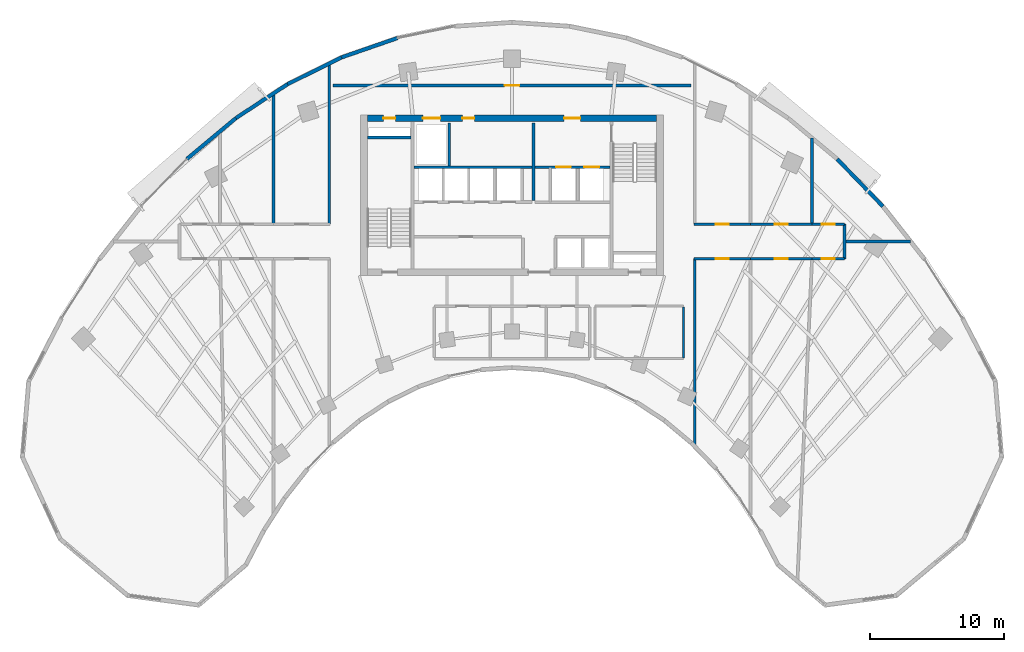
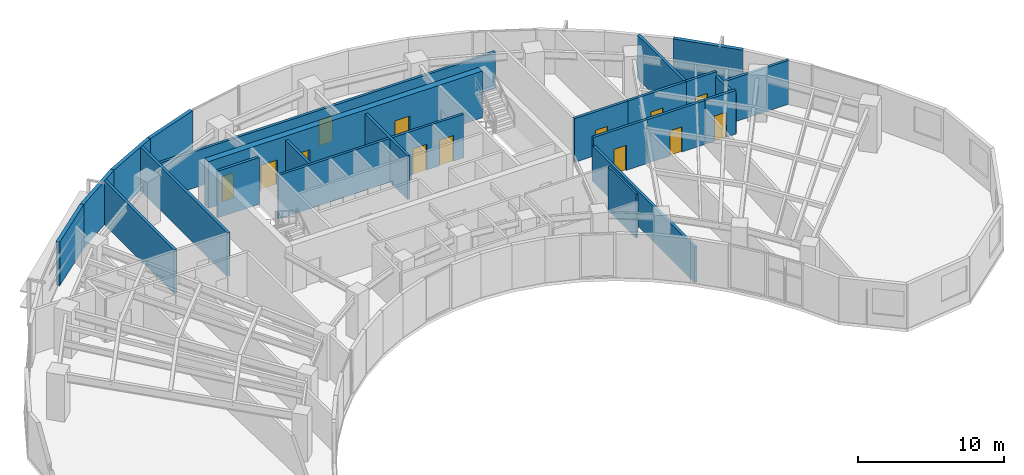
# One storey, part 10 of 14: 25 walls, 13 doors, 13 openings.
"""IFC4 building model written with IfcOpenShell, lengths in metres."""

import ifcopenshell
import ifcopenshell.guid

model = None  # the IFC model being written
_history = None  # IfcOwnerHistory: only IFC2X3 demands one
_inside = {}  # id of a spatial element -> (the spatial element, [elements in it])
_under = {}  # id of a project, library or spatial element -> (it, [spatial elements below it])
_declared = {}  # id of a project -> (the project, [libraries it declares])
_typed = {}  # id of a type object -> (the type object, [elements of that type])
_made_of = {}  # id of a material, layer set ... -> (it, [elements and type objects made of it])


def new_model(schema):
    """Start an empty IFC model of exactly this schema.

    Asked for "IFC4X3", IfcOpenShell would pick the latest addendum, in which some entities
    have other attributes; the version numbers below select the first issue.
    IFC2X3 requires an IfcOwnerHistory on every rooted entity: one is made here for all.
    """
    global model, _history
    if schema == "IFC4X3":
        model = ifcopenshell.file(schema_version=(4, 3, 0, 0))
    else:
        model = ifcopenshell.file(schema=schema)
    _inside.clear()
    _under.clear()
    _declared.clear()
    _typed.clear()
    _made_of.clear()
    _history = None
    if model.schema == "IFC2X3":
        org = make("IfcOrganization", Name="unknown")
        user = make(
            "IfcPersonAndOrganization",
            ThePerson=make("IfcPerson", FamilyName="unknown"),
            TheOrganization=org,
        )
        app = make(
            "IfcApplication",
            ApplicationDeveloper=org,
            Version="unknown",
            ApplicationFullName="unknown",
            ApplicationIdentifier="unknown",
        )
        _history = make(
            "IfcOwnerHistory",
            OwningUser=user,
            OwningApplication=app,
            ChangeAction="ADDED",
            CreationDate=0,
        )
    return model


def make(cls, **values):
    """One entity of the class cls with the attributes given. An attribute that is None is left unset."""
    return model.create_entity(
        cls, **{name: value for name, value in values.items() if value is not None}
    )


def rooted(cls, **values):
    """An entity with a GlobalId (a new one), such as an element, a storey or a relation."""
    return make(cls, GlobalId=ifcopenshell.guid.new(), OwnerHistory=_history, **values)


def si_unit(unit_type, name, prefix=None):
    """IfcSIUnit, for example si_unit("LENGTHUNIT", "METRE", prefix="MILLI")."""
    return make("IfcSIUnit", UnitType=unit_type, Prefix=prefix, Name=name)


def assignment(units):
    """IfcUnitAssignment: the units of a project."""
    return None if units is None else make("IfcUnitAssignment", Units=units)


def point(xyz):
    """IfcCartesianPoint."""
    return None if xyz is None else make("IfcCartesianPoint", Coordinates=xyz)


def direction(xyz):
    """IfcDirection."""
    return None if xyz is None else make("IfcDirection", DirectionRatios=xyz)


def frame(location, z_axis=None, x_axis=None):
    """IfcAxis2Placement3D, a coordinate frame: its origin and axes. An axis left out is left unset."""
    return make(
        "IfcAxis2Placement3D",
        Location=point(location),
        Axis=direction(z_axis),
        RefDirection=direction(x_axis),
    )


def frame_2d(location, x_axis=None):
    """IfcAxis2Placement2D, a coordinate frame in the plane: its origin and x axis."""
    return make(
        "IfcAxis2Placement2D", Location=point(location), RefDirection=direction(x_axis)
    )


def origin():
    """The frame at (0, 0, 0) with its axes left unset."""
    return frame((0.0, 0.0, 0.0))


def place(relative_to, where):
    """IfcLocalPlacement: puts the frame where relative to a parent placement (None: the world)."""
    return make(
        "IfcLocalPlacement", PlacementRelTo=relative_to, RelativePlacement=where
    )


def context(
    kind, dimensions, precision=None, world=None, true_north=None, identifier=None
):
    """IfcGeometricRepresentationContext, for example the 3D "Model" context."""
    return make(
        "IfcGeometricRepresentationContext",
        ContextIdentifier=identifier,
        ContextType=kind,
        CoordinateSpaceDimension=dimensions,
        Precision=precision,
        WorldCoordinateSystem=world,
        TrueNorth=true_north,
    )


def subcontext(parent, identifier, kind, view, scale=None):
    """IfcGeometricRepresentationSubContext, for example "Body" below "Model"."""
    return make(
        "IfcGeometricRepresentationSubContext",
        ContextIdentifier=identifier,
        ContextType=kind,
        ParentContext=parent,
        TargetScale=scale,
        TargetView=view,
    )


def project(units=None, contexts=None):
    """IfcProject with its units and contexts."""
    return rooted(
        "IfcProject",
        Name="project",
        RepresentationContexts=contexts,
        UnitsInContext=assignment(units),
    )


def spatial(cls, under=None, at=None, **own):
    """A site, building, storey or space (cls), placed at a placement, below another one or the project."""
    s = rooted(cls, ObjectPlacement=at, **own)
    if under is not None:
        _under.setdefault(under.id(), (under, []))[1].append(s)
    return s


def profile(cls, at=None, kind="AREA", **sizes):
    """A parametric profile (cls). Its sizes go by their IFC names, for example OverallWidth=200.0."""
    return make(cls, ProfileType=kind, Position=at, **sizes)


def rectangle(**sizes):
    """IfcRectangleProfileDef."""
    return profile("IfcRectangleProfileDef", **sizes)


def extrude(swept, where, along, depth):
    """IfcExtrudedAreaSolid: the profile swept, set in the frame where, extruded along a direction by depth."""
    return make(
        "IfcExtrudedAreaSolid",
        SweptArea=swept,
        Position=where,
        ExtrudedDirection=direction(along),
        Depth=depth,
    )


def shape(context_of_items, identifier, shape_type, items):
    """IfcShapeRepresentation: the items that make up one representation, for example the "Body"."""
    return make(
        "IfcShapeRepresentation",
        ContextOfItems=context_of_items,
        RepresentationIdentifier=identifier,
        RepresentationType=shape_type,
        Items=items,
    )


def source(mapping_origin, context_of_items, identifier, shape_type, items):
    """IfcRepresentationMap: a shape defined once, which mapped items show again and again."""
    return make(
        "IfcRepresentationMap",
        MappingOrigin=mapping_origin,
        MappedRepresentation=shape(context_of_items, identifier, shape_type, items),
    )


def transform(
    local_origin,
    x_axis=None,
    y_axis=None,
    z_axis=None,
    scale=None,
    scale2=None,
    scale3=None,
    uniform=True,
):
    """IfcCartesianTransformationOperator3D, or its non-uniform kind. x_axis, y_axis, z_axis: its Axis1, 2, 3."""
    if uniform:
        return make(
            "IfcCartesianTransformationOperator3D",
            Axis1=direction(x_axis),
            Axis2=direction(y_axis),
            LocalOrigin=point(local_origin),
            Scale=scale,
            Axis3=direction(z_axis),
        )
    return make(
        "IfcCartesianTransformationOperator3DnonUniform",
        Axis1=direction(x_axis),
        Axis2=direction(y_axis),
        LocalOrigin=point(local_origin),
        Scale=scale,
        Axis3=direction(z_axis),
        Scale2=scale2,
        Scale3=scale3,
    )


def mapped(mapping_source, mapping_target):
    """IfcMappedItem: shows the shape of a source again, moved by a transform."""
    return make(
        "IfcMappedItem", MappingSource=mapping_source, MappingTarget=mapping_target
    )


def material(Name=None, Category=None):
    """IfcMaterial."""
    return make("IfcMaterial", Name=Name, Category=Category)


def layer(
    of_material, thickness, ventilated=None, Name=None, Category=None, Priority=None
):
    """IfcMaterialLayer: one layer of a wall or slab, of a material (None: an air gap)."""
    return make(
        "IfcMaterialLayer",
        Material=of_material,
        LayerThickness=thickness,
        IsVentilated=ventilated,
        Name=Name,
        Category=Category,
        Priority=Priority,
    )


def layer_set(layers, Name=None):
    """IfcMaterialLayerSet."""
    return make("IfcMaterialLayerSet", MaterialLayers=layers, LayerSetName=Name)


def made_of(thing, what):
    """Note that an element or type object is made of a material, layer set ...; save() writes the relation."""
    if what is not None:
        _made_of.setdefault(what.id(), (what, []))[1].append(thing)
    return thing


def type_object(cls, material=None, **own):
    """A type object (cls), such as IfcWallType, which elements share."""
    return made_of(rooted(cls, **own), material)


def type_shapes(of_type, sources):
    """Give a type object the sources (RepresentationMaps) that its elements show as mapped items."""
    of_type.RepresentationMaps = sources


def element(
    cls,
    number,
    at=None,
    inside=None,
    cuts=None,
    type_object=None,
    material=None,
    context=None,
    identifier="Body",
    shape_type=None,
    held_by="IfcProductDefinitionShape",
    body=None,
    shapes=None,
    **own,
):
    """One element of the class cls, such as IfcWall. Its Tag is "e" and its number.

    at: its placement. inside: the storey or other place that contains it. cuts: it is an
    opening in that element (IfcRelVoidsElement). A single representation is given by context,
    identifier, shape_type and body (its items); several are given by shapes. held_by: the class
    of the entity that holds the representations. save() writes the other relations.
    """
    e = rooted(cls, Tag="e%d" % number, ObjectPlacement=at, **own)
    if body is not None:
        shapes = [shape(context, identifier, shape_type, body)]
    if shapes is not None:
        e.Representation = make(held_by, Representations=shapes)
    if inside is not None:
        _inside.setdefault(inside.id(), (inside, []))[1].append(e)
    if cuts is not None:
        rooted(
            "IfcRelVoidsElement", RelatingBuildingElement=cuts, RelatedOpeningElement=e
        )
    if type_object is not None:
        _typed.setdefault(type_object.id(), (type_object, []))[1].append(e)
    return made_of(e, material)


def fill(opening, filler):
    """IfcRelFillsElement: the door or window that sits in an opening."""
    return rooted(
        "IfcRelFillsElement",
        RelatingOpeningElement=opening,
        RelatedBuildingElement=filler,
    )


def aggregate(whole, parts):
    """IfcRelAggregates: a whole, such as a stair, and the parts it consists of."""
    return rooted("IfcRelAggregates", RelatingObject=whole, RelatedObjects=parts)


def save(model, path):
    """Write the relations noted so far, then the file.

    IfcRelAggregates (storeys below a building ...), IfcRelContainedInSpatialStructure (elements
    in a storey), IfcRelDefinesByType, IfcRelAssociatesMaterial and IfcRelDeclares: one each for
    every whole, place, type object, material and project.
    """
    for whole, parts in _under.values():
        aggregate(whole, parts)
    for where, things in _inside.values():
        rooted(
            "IfcRelContainedInSpatialStructure",
            RelatedElements=things,
            RelatingStructure=where,
        )
    for kind, things in _typed.values():
        rooted("IfcRelDefinesByType", RelatedObjects=things, RelatingType=kind)
    for what, things in _made_of.values():
        rooted("IfcRelAssociatesMaterial", RelatedObjects=things, RelatingMaterial=what)
    for by, libraries in _declared.values():
        rooted("IfcRelDeclares", RelatingContext=by, RelatedDefinitions=libraries)
    model.write(path)


model = new_model("IFC4")

# Units and contexts
model_context = context("Model", 3, precision=1e-05, world=origin(), true_north=direction((0.0, 1.0)))
body_context = subcontext(model_context, "Body", "Model", "MODEL_VIEW")
ifc_project = project(units=[si_unit("LENGTHUNIT", "METRE"), si_unit("AREAUNIT", "SQUARE_METRE"), si_unit("VOLUMEUNIT", "CUBIC_METRE"), si_unit("PLANEANGLEUNIT", "RADIAN"), si_unit("MASSUNIT", "GRAM", prefix="KILO")], contexts=[model_context])

# Site, building, storey
site_placement = place(None, origin())
site = spatial("IfcSite", under=ifc_project, at=site_placement, CompositionType="ELEMENT")
building_placement = place(site_placement, origin())
building = spatial("IfcBuilding", under=site, at=building_placement, Name="Breltana Convention Tower", CompositionType="ELEMENT")
storey_placement = place(building_placement, frame((0.0, 0.0, 131.10009765625)))
storey = spatial("IfcBuildingStorey", under=building, at=storey_placement, Name="L31", CompositionType="ELEMENT", Elevation=131.10009765625)

# Wall, openings, doors
ifc_material_1 = material(Name="Concrete C60/75", Category="concrete")
ifc_layer_1 = layer(ifc_material_1, 0.5, Name="Concrete C60/75")
ifc_layer_set_1 = layer_set([ifc_layer_1], Name="Concrete C60/75")
wall_type_1 = type_object("IfcWallType", Name="SW-CORE-500", PredefinedType="SHEAR", material=ifc_layer_set_1)
shared_shape_1 = source(origin(), body_context, "Body", "SweptSolid", [
    extrude(rectangle(XDim=21.60009765625, YDim=0.5, at=frame_2d((10.800048828125, 0.0))), origin(), (0.0, 0.0, 1.0), 3.89990234375),
])
wall_1_placement = place(storey_placement, frame((37.199951171875, 71.949951171875, 0.0), z_axis=(0.0, 0.0, 1.0), x_axis=(1.0, 0.0, 0.0)))
wall_1 = element("IfcWall", 1, at=wall_1_placement, inside=storey, type_object=wall_type_1, Name="L31 North Core Shear Wall", PredefinedType="SHEAR", context=body_context, shape_type="MappedRepresentation", body=[
    mapped(shared_shape_1, transform((0.0, 0.0, 0.0), scale=1.0)),
])
opening_1_placement = place(wall_1_placement, frame((1.199951171875, 0.0, 0.0)))
opening_1 = element("IfcOpeningElement", 2, at=opening_1_placement, cuts=wall_1, Name="Opening D-18", PredefinedType="OPENING", context=body_context, shape_type="SweptSolid", body=[
    extrude(rectangle(XDim=0.89990234375, YDim=2.10009765625, at=frame_2d((0.449951171875, 1.050048828125))), frame((0.0, 0.260009765625, 0.0), z_axis=(0.0, -1.0, 0.0), x_axis=(1.0, 0.0, 0.0)), (0.0, 0.0, 1.0), 0.52001953125),
])
opening_2_placement = place(wall_1_placement, frame((14.699951171875, 0.0, 0.0)))
opening_2 = element("IfcOpeningElement", 3, at=opening_2_placement, cuts=wall_1, Name="Opening D-09", PredefinedType="OPENING", context=body_context, shape_type="SweptSolid", body=[
    extrude(rectangle(XDim=1.199951171875, YDim=2.14990234375, at=frame_2d((0.60009765625, 1.074951171875))), frame((0.0, 0.260009765625, 0.0), z_axis=(0.0, -1.0, 0.0), x_axis=(1.0, 0.0, 0.0)), (0.0, 0.0, 1.0), 0.52001953125),
])
opening_3_placement = place(wall_1_placement, frame((4.14990234375, 0.0, 0.0)))
opening_3 = element("IfcOpeningElement", 4, at=opening_3_placement, cuts=wall_1, Name="Opening LD-01", PredefinedType="OPENING", context=body_context, shape_type="SweptSolid", body=[
    extrude(rectangle(XDim=1.300048828125, YDim=2.14990234375, at=frame_2d((0.64990234375, 1.074951171875))), frame((0.0, 0.260009765625, 0.0), z_axis=(0.0, -1.0, 0.0), x_axis=(1.0, 0.0, 0.0)), (0.0, 0.0, 1.0), 0.52001953125),
])
opening_4_placement = place(wall_1_placement, frame((7.10009765625, 0.0, 0.0)))
opening_4 = element("IfcOpeningElement", 5, at=opening_4_placement, cuts=wall_1, Name="Opening D-18", PredefinedType="OPENING", context=body_context, shape_type="SweptSolid", body=[
    extrude(rectangle(XDim=0.89990234375, YDim=2.10009765625, at=frame_2d((0.449951171875, 1.050048828125))), frame((0.0, 0.260009765625, 0.0), z_axis=(0.0, -1.0, 0.0), x_axis=(1.0, 0.0, 0.0)), (0.0, 0.0, 1.0), 0.52001953125),
])
ifc_material_2 = material(Name="Steel Riser Fire Door", Category="steel")
door_type_1 = type_object("IfcDoorType", Name="DR-FD60-900", OperationType="NOTDEFINED", PredefinedType="DOOR", material=ifc_material_2)
shared_shape_2 = source(origin(), body_context, "Body", "SweptSolid", [
    extrude(rectangle(XDim=0.89990234375, YDim=2.10009765625, at=frame_2d((0.449951171875, 1.050048828125))), frame((0.0, 0.02490234375, 0.0), z_axis=(0.0, -1.0, 0.0), x_axis=(1.0, 0.0, 0.0)), (0.0, 0.0, 1.0), 0.050048828125),
])
type_shapes(door_type_1, [shared_shape_2])
door_1_placement = place(opening_1_placement, origin())
door_1 = element("IfcDoor", 6, at=door_1_placement, inside=storey, type_object=door_type_1, Name="L31 Core Riser Access Door D-L31-RS1", OperationType="SINGLE_SWING_LEFT", OverallHeight=2.10009765625, OverallWidth=0.89990234375, PredefinedType="DOOR", context=body_context, shape_type="MappedRepresentation", body=[
    mapped(shared_shape_2, transform((0.0, 0.0, 0.0), scale=1.0)),
])
fill(opening_1, door_1)
door_2_placement = place(opening_4_placement, origin())
door_2 = element("IfcDoor", 7, at=door_2_placement, inside=storey, type_object=door_type_1, Name="L31 interior door D-L31-CRA1", OperationType="SINGLE_SWING_LEFT", OverallHeight=2.10009765625, OverallWidth=0.89990234375, PredefinedType="DOOR", context=body_context, shape_type="MappedRepresentation", body=[
    mapped(shared_shape_2, transform((0.0, 0.0, 0.0), scale=1.0)),
])
fill(opening_4, door_2)
ifc_material_3 = material(Name="Steel Fire Lobby Door", Category="steel")
door_type_2 = type_object("IfcDoorType", Name="DR-FD120-1200", OperationType="NOTDEFINED", PredefinedType="DOOR", material=ifc_material_3)
shared_shape_3 = source(origin(), body_context, "Body", "SweptSolid", [
    extrude(rectangle(XDim=1.199951171875, YDim=2.14990234375, at=frame_2d((0.60009765625, 1.074951171875))), frame((0.0, 0.02490234375, 0.0), z_axis=(0.0, -1.0, 0.0), x_axis=(1.0, 0.0, 0.0)), (0.0, 0.0, 1.0), 0.050048828125),
])
type_shapes(door_type_2, [shared_shape_3])
door_3_placement = place(opening_2_placement, origin())
door_3 = element("IfcDoor", 8, at=door_3_placement, inside=storey, type_object=door_type_2, Name="L31 interior door D-L31-FFL-N", OperationType="SINGLE_SWING_RIGHT", OverallHeight=2.14990234375, OverallWidth=1.199951171875, PredefinedType="DOOR", context=body_context, shape_type="MappedRepresentation", body=[
    mapped(shared_shape_3, transform((0.0, 0.0, 0.0), scale=1.0)),
])
fill(opening_2, door_3)
ifc_material_4 = material(Name="Stainless Steel Brushed", Category="steel")
door_type_3 = type_object("IfcDoorType", Name="DR-LD-SRV-1300", OperationType="DOUBLE_DOOR_SLIDING", PredefinedType="DOOR", material=ifc_material_4)
shared_shape_4 = source(origin(), body_context, "Body", "SweptSolid", [
    extrude(rectangle(XDim=1.300048828125, YDim=2.14990234375, at=frame_2d((0.64990234375, 1.074951171875))), frame((0.0, 0.02490234375, 0.0), z_axis=(0.0, -1.0, 0.0), x_axis=(1.0, 0.0, 0.0)), (0.0, 0.0, 1.0), 0.050048828125),
])
type_shapes(door_type_3, [shared_shape_4])
door_4_placement = place(opening_3_placement, origin())
door_4 = element("IfcDoor", 9, at=door_4_placement, inside=storey, type_object=door_type_3, Name="L31 Lift Landing Door D-L31-LD-SV1", OperationType="DOUBLE_DOOR_SLIDING", OverallHeight=2.14990234375, OverallWidth=1.300048828125, PredefinedType="DOOR", context=body_context, shape_type="MappedRepresentation", body=[
    mapped(shared_shape_4, transform((0.0, 0.0, 0.0), scale=1.0)),
])
fill(opening_3, door_4)

# Walls
ifc_material_5 = material(Name="Concrete C50/60", Category="concrete")
ifc_layer_2 = layer(ifc_material_5, 0.39990234375, Name="Concrete C50/60")
ifc_layer_set_2 = layer_set([ifc_layer_2], Name="Concrete C50/60")
wall_type_2 = type_object("IfcWallType", Name="SW-CORE-400", PredefinedType="SHEAR", material=ifc_layer_set_2)
shared_shape_5 = source(origin(), body_context, "Body", "SweptSolid", [
    extrude(rectangle(XDim=3.27001953125, YDim=0.219970703125, at=frame_2d((1.635009765625, 0.0))), origin(), (0.0, 0.0, 1.0), 3.89990234375),
])
wall_2_placement = place(storey_placement, frame((37.199951171875, 70.510009765625, 0.0), z_axis=(0.0, 0.0, 1.0), x_axis=(1.0, 0.0, 0.0)))
element("IfcWall", 10, at=wall_2_placement, inside=storey, type_object=wall_type_2, Name="L31 ST-1 Stairwell North Bearing Wall", PredefinedType="SHEAR", context=body_context, shape_type="MappedRepresentation", body=[
    mapped(shared_shape_5, transform((0.0, 0.0, 0.0), scale=1.0)),
])
ifc_material_6 = material(Name="Limestone Buff Insulated Wall", Category="masonry")
ifc_layer_3 = layer(ifc_material_6, 0.280029296875, Name="Limestone Buff Insulated Wall")
ifc_layer_set_3 = layer_set([ifc_layer_3], Name="Limestone Buff Insulated Wall")
wall_type_3 = type_object("IfcWallType", Name="WL-EXT-NOSE-280", PredefinedType="SOLIDWALL", material=ifc_layer_set_3)
shared_shape_6 = source(origin(), body_context, "Body", "SweptSolid", [
    extrude(rectangle(XDim=4.908447265625, YDim=0.280029296875, at=frame_2d((2.4541015625, 0.0))), origin(), (0.0, 0.0, 1.0), 3.64990234375),
])
wall_3_placement = place(storey_placement, frame((72.275390625, 68.907470703125, 0.0), z_axis=(0.0, 0.0, 1.0), x_axis=(0.694613154328, -0.719383462302, 0.0)))
element("IfcWall", 11, at=wall_3_placement, inside=storey, type_object=wall_type_3, Name="L31 curved limestone nose wall E31", PredefinedType="SOLIDWALL", context=body_context, shape_type="MappedRepresentation", body=[
    mapped(shared_shape_6, transform((0.0, 0.0, 0.0), scale=1.0)),
])
shared_shape_7 = source(origin(), body_context, "Body", "SweptSolid", [
    extrude(rectangle(XDim=4.76220703125, YDim=0.280029296875, at=frame_2d((2.381103515625, 0.0))), origin(), (0.0, 0.0, 1.0), 3.64990234375),
])
wall_4_placement = place(storey_placement, frame((23.724609375, 68.907470703125, 0.0), z_axis=(0.0, 0.0, 1.0), x_axis=(0.767952279762, 0.640507061638, 0.0)))
element("IfcWall", 12, at=wall_4_placement, inside=storey, type_object=wall_type_3, Name="L31 curved limestone nose wall E21", PredefinedType="SOLIDWALL", context=body_context, shape_type="MappedRepresentation", body=[
    mapped(shared_shape_7, transform((0.0, 0.0, 0.0), scale=1.0)),
])
shared_shape_8 = source(origin(), body_context, "Body", "SweptSolid", [
    extrude(rectangle(XDim=4.625732421875, YDim=0.280029296875, at=frame_2d((2.31298828125, 0.0))), origin(), (0.0, 0.0, 1.0), 3.64990234375),
])
wall_5_placement = place(storey_placement, frame((27.3818359375, 71.957763671875, 0.0), z_axis=(0.0, 0.0, 1.0), x_axis=(0.83595938331, 0.548791316855, 0.0)))
element("IfcWall", 13, at=wall_5_placement, inside=storey, type_object=wall_type_3, Name="L31 curved limestone nose wall E22", PredefinedType="SOLIDWALL", context=body_context, shape_type="MappedRepresentation", body=[
    mapped(shared_shape_8, transform((0.0, 0.0, 0.0), scale=1.0)),
])
shared_shape_9 = source(origin(), body_context, "Body", "SweptSolid", [
    extrude(rectangle(XDim=4.408935546875, YDim=0.280029296875, at=frame_2d((2.20458984375, 0.0))), origin(), (0.0, 0.0, 1.0), 3.64990234375),
])
wall_6_placement = place(storey_placement, frame((35.28564453125, 76.497314453125, 0.0), z_axis=(0.0, 0.0, 1.0), x_axis=(0.944879374121, 0.327418643881, 0.0)))
element("IfcWall", 14, at=wall_6_placement, inside=storey, type_object=wall_type_3, Name="L31 curved limestone nose wall E24", PredefinedType="SOLIDWALL", context=body_context, shape_type="MappedRepresentation", body=[
    mapped(shared_shape_9, transform((0.0, 0.0, 0.0), scale=1.0)),
])
shared_shape_10 = source(origin(), body_context, "Body", "SweptSolid", [
    extrude(rectangle(XDim=4.505615234375, YDim=0.280029296875, at=frame_2d((2.2529296875, 0.0))), origin(), (0.0, 0.0, 1.0), 3.64990234375),
])
wall_7_placement = place(storey_placement, frame((31.248779296875, 74.496337890625, 0.0), z_axis=(0.0, 0.0, 1.0), x_axis=(0.89597155075, 0.444111450254, 0.0)))
element("IfcWall", 15, at=wall_7_placement, inside=storey, type_object=wall_type_3, Name="L31 curved limestone nose wall E23", PredefinedType="SOLIDWALL", context=body_context, shape_type="MappedRepresentation", body=[
    mapped(shared_shape_10, transform((0.0, 0.0, 0.0), scale=1.0)),
])

# Wall, openings, doors
ifc_material_7 = material(Name="Autoclaved Aerated Concrete Block", Category="concrete")
ifc_layer_4 = layer(ifc_material_7, 0.199951171875, Name="Autoclaved Aerated Concrete Block")
ifc_layer_set_4 = layer_set([ifc_layer_4], Name="Autoclaved Aerated Concrete Block")
wall_type_4 = type_object("IfcWallType", Name="WL-SHAFT-200", PredefinedType="SOLIDWALL", material=ifc_layer_set_4)
shared_shape_11 = source(origin(), body_context, "Body", "SweptSolid", [
    extrude(rectangle(XDim=5.6201171875, YDim=0.199951171875, at=frame_2d((2.81005859375, 0.0))), origin(), (0.0, 0.0, 1.0), 3.64990234375),
])
wall_8_placement = place(storey_placement, frame((49.699951171875, 68.300048828125, 0.0), z_axis=(0.0, 0.0, 1.0), x_axis=(1.0, 0.0, 0.0)))
wall_8 = element("IfcWall", 16, at=wall_8_placement, inside=storey, type_object=wall_type_4, Name="L31 interior partition W-L31-FFL-S", PredefinedType="SOLIDWALL", context=body_context, shape_type="MappedRepresentation", body=[
    mapped(shared_shape_11, transform((0.0, 0.0, 0.0), scale=1.0)),
])
opening_5_placement = place(wall_8_placement, frame((1.60009765625, 0.0, 0.0)))
opening_5 = element("IfcOpeningElement", 17, at=opening_5_placement, cuts=wall_8, Name="Opening LD-03", PredefinedType="OPENING", context=body_context, shape_type="SweptSolid", body=[
    extrude(rectangle(XDim=1.10009765625, YDim=2.14990234375, at=frame_2d((0.550048828125, 1.074951171875))), frame((0.0, 0.10986328125, 0.0), z_axis=(0.0, -1.0, 0.0), x_axis=(1.0, 0.0, 0.0)), (0.0, 0.0, 1.0), 0.219970703125),
])
opening_6_placement = place(wall_8_placement, frame((3.699951171875, 0.0, 0.0)))
opening_6 = element("IfcOpeningElement", 18, at=opening_6_placement, cuts=wall_8, Name="Opening LD-03", PredefinedType="OPENING", context=body_context, shape_type="SweptSolid", body=[
    extrude(rectangle(XDim=1.10009765625, YDim=2.14990234375, at=frame_2d((0.550048828125, 1.074951171875))), frame((0.0, 0.10986328125, 0.0), z_axis=(0.0, -1.0, 0.0), x_axis=(1.0, 0.0, 0.0)), (0.0, 0.0, 1.0), 0.219970703125),
])
door_type_4 = type_object("IfcDoorType", Name="DR-LD-FF-1100", OperationType="DOUBLE_DOOR_SLIDING", PredefinedType="DOOR", material=ifc_material_4)
shared_shape_12 = source(origin(), body_context, "Body", "SweptSolid", [
    extrude(rectangle(XDim=1.10009765625, YDim=2.14990234375, at=frame_2d((0.550048828125, 1.074951171875))), frame((0.0, 0.02490234375, 0.0), z_axis=(0.0, -1.0, 0.0), x_axis=(1.0, 0.0, 0.0)), (0.0, 0.0, 1.0), 0.050048828125),
])
type_shapes(door_type_4, [shared_shape_12])
door_5_placement = place(opening_5_placement, origin())
door_5 = element("IfcDoor", 19, at=door_5_placement, inside=storey, type_object=door_type_4, Name="L31 Lift Landing Door D-L31-LD-FL1", OperationType="DOUBLE_DOOR_SLIDING", OverallHeight=2.14990234375, OverallWidth=1.10009765625, PredefinedType="DOOR", context=body_context, shape_type="MappedRepresentation", body=[
    mapped(shared_shape_12, transform((0.0, 0.0, 0.0), scale=1.0)),
])
fill(opening_5, door_5)
door_6_placement = place(opening_6_placement, origin())
door_6 = element("IfcDoor", 20, at=door_6_placement, inside=storey, type_object=door_type_4, Name="L31 Lift Landing Door D-L31-LD-FL2", OperationType="DOUBLE_DOOR_SLIDING", OverallHeight=2.14990234375, OverallWidth=1.10009765625, PredefinedType="DOOR", context=body_context, shape_type="MappedRepresentation", body=[
    mapped(shared_shape_12, transform((0.0, 0.0, 0.0), scale=1.0)),
])
fill(opening_6, door_6)

# Walls
shared_shape_13 = source(origin(), body_context, "Body", "SweptSolid", [
    extrude(rectangle(XDim=5.800048828125, YDim=0.199951171875, at=frame_2d((2.89990234375, 0.0))), origin(), (0.0, 0.0, 1.0), 3.64990234375),
])
wall_9_placement = place(storey_placement, frame((49.60009765625, 65.800048828125, 0.0), z_axis=(0.0, 0.0, 1.0), x_axis=(0.0, 1.0, 0.0)))
element("IfcWall", 21, at=wall_9_placement, inside=storey, type_object=wall_type_4, Name="L31 interior partition W-L31-FFL-W", PredefinedType="SOLIDWALL", context=body_context, shape_type="MappedRepresentation", body=[
    mapped(shared_shape_13, transform((0.0, 0.0, 0.0), scale=1.0)),
])
shared_shape_14 = source(origin(), body_context, "Body", "SweptSolid", [
    extrude(rectangle(XDim=3.2001953125, YDim=0.199951171875, at=frame_2d((1.60009765625, 0.0))), origin(), (0.0, 0.0, 1.0), 3.64990234375),
])
wall_10_placement = place(storey_placement, frame((43.320068359375, 68.39990234375, 0.0), z_axis=(0.0, 0.0, 1.0), x_axis=(0.0, 1.0, 0.0)))
element("IfcWall", 22, at=wall_10_placement, inside=storey, type_object=wall_type_4, Name="L31 interior partition W-L31-SV-E", PredefinedType="SOLIDWALL", context=body_context, shape_type="MappedRepresentation", body=[
    mapped(shared_shape_14, transform((0.0, 0.0, 0.0), scale=1.0)),
])
shared_shape_15 = source(origin(), body_context, "Body", "SweptSolid", [
    extrude(rectangle(XDim=8.800048828125, YDim=0.199951171875, at=frame_2d((4.39990234375, 0.0))), origin(), (0.0, 0.0, 1.0), 3.64990234375),
])
wall_11_placement = place(storey_placement, frame((40.699951171875, 68.300048828125, 0.0), z_axis=(0.0, 0.0, 1.0), x_axis=(1.0, 0.0, 0.0)))
element("IfcWall", 23, at=wall_11_placement, inside=storey, type_object=wall_type_4, Name="L31 interior partition W-L31-SV-S", PredefinedType="SOLIDWALL", context=body_context, shape_type="MappedRepresentation", body=[
    mapped(shared_shape_15, transform((0.0, 0.0, 0.0), scale=1.0)),
])
ifc_material_8 = material(Name="Gypsum Acoustic Drywall Partition")
ifc_layer_5 = layer(ifc_material_8, 0.14990234375, Name="Gypsum Acoustic Drywall Partition")
ifc_layer_set_5 = layer_set([ifc_layer_5], Name="Gypsum Acoustic Drywall Partition")
wall_type_5 = type_object("IfcWallType", Name="WL-PART-150", PredefinedType="PARTITIONING", material=ifc_layer_set_5)
shared_shape_16 = source(origin(), body_context, "Body", "SweptSolid", [
    extrude(rectangle(XDim=3.78515625, YDim=0.14990234375, at=frame_2d((1.892578125, 0.0))), origin(), (0.0, 0.0, 1.0), 3.64990234375),
])
wall_12_placement = place(storey_placement, frame((60.800048828125, 54.0673828125, 0.0), z_axis=(0.0, 0.0, 1.0), x_axis=(0.0, 1.0, 0.0)))
element("IfcWall", 24, at=wall_12_placement, inside=storey, type_object=wall_type_5, Name="L31 interior partition W-L31-PNT-E", PredefinedType="PARTITIONING", context=body_context, shape_type="MappedRepresentation", body=[
    mapped(shared_shape_16, transform((0.0, 0.0, 0.0), scale=1.0)),
])

# Wall, opening, door
ifc_material_9 = material(Name="Autoclaved Aerated Masonry Blockwork", Category="masonry")
ifc_layer_6 = layer(ifc_material_9, 0.2099609375, Name="Autoclaved Aerated Masonry Blockwork")
ifc_layer_set_6 = layer_set([ifc_layer_6], Name="Autoclaved Aerated Masonry Blockwork")
wall_type_6 = type_object("IfcWallType", Name="WL-PART-200", PredefinedType="PARTITIONING", material=ifc_layer_set_6)
shared_shape_17 = source(origin(), body_context, "Body", "SweptSolid", [
    extrude(rectangle(XDim=26.7001953125, YDim=0.2099609375, at=frame_2d((13.35009765625, 0.0))), origin(), (0.0, 0.0, 1.0), 3.02197265625),
])
wall_13_placement = place(storey_placement, frame((34.64990234375, 74.39990234375, 0.0), z_axis=(0.0, 0.0, 1.0), x_axis=(1.0, 0.0, 0.0)))
wall_13 = element("IfcWall", 25, at=wall_13_placement, inside=storey, type_object=wall_type_6, Name="L31 interior partition W-L31-ZN1-S", PredefinedType="PARTITIONING", context=body_context, shape_type="MappedRepresentation", body=[
    mapped(shared_shape_17, transform((0.0, 0.0, 0.0), scale=1.0)),
])
opening_7_placement = place(wall_13_placement, frame((12.800048828125, 0.0, 0.0)))
opening_7 = element("IfcOpeningElement", 26, at=opening_7_placement, cuts=wall_13, Name="Opening D-12", PredefinedType="OPENING", context=body_context, shape_type="SweptSolid", body=[
    extrude(rectangle(XDim=1.10009765625, YDim=2.14990234375, at=frame_2d((0.550048828125, 1.074951171875))), frame((0.0, 0.114990234375, 0.0), z_axis=(0.0, -1.0, 0.0), x_axis=(1.0, 0.0, 0.0)), (0.0, 0.0, 1.0), 0.22998046875),
])
ifc_material_10 = material(Name="Timber Oak Acoustic Door", Category="wood")
door_type_5 = type_object("IfcDoorType", Name="DR-INT-1100", OperationType="NOTDEFINED", PredefinedType="DOOR", material=ifc_material_10)
shared_shape_18 = source(origin(), body_context, "Body", "SweptSolid", [
    extrude(rectangle(XDim=1.10009765625, YDim=2.14990234375, at=frame_2d((0.550048828125, 1.074951171875))), frame((0.0, 0.02490234375, 0.0), z_axis=(0.0, -1.0, 0.0), x_axis=(1.0, 0.0, 0.0)), (0.0, 0.0, 1.0), 0.050048828125),
])
type_shapes(door_type_5, [shared_shape_18])
door_7_placement = place(opening_7_placement, origin())
door_7 = element("IfcDoor", 27, at=door_7_placement, inside=storey, type_object=door_type_5, Name="L31 interior door D-L31-ZN1", OperationType="SINGLE_SWING_LEFT", OverallHeight=2.14990234375, OverallWidth=1.10009765625, PredefinedType="DOOR", context=body_context, shape_type="MappedRepresentation", body=[
    mapped(shared_shape_18, transform((0.0, 0.0, 0.0), scale=1.0)),
])
fill(opening_7, door_7)

# Wall
shared_shape_19 = source(origin(), body_context, "Body", "SweptSolid", [
    extrude(rectangle(XDim=9.73583984375, YDim=0.2099609375, at=frame_2d((4.867919921875, 0.0))), origin(), (0.0, 0.0, 1.0), 3.64990234375),
])
wall_14_placement = place(storey_placement, frame((30.199951171875, 64.06005859375, 0.0), z_axis=(0.0, 0.0, 1.0), x_axis=(0.0, 1.0, 0.0)))
element("IfcWall", 28, at=wall_14_placement, inside=storey, type_object=wall_type_6, Name="L31 interior partition W-L31-ZWN2-E", PredefinedType="PARTITIONING", context=body_context, shape_type="MappedRepresentation", body=[
    mapped(shared_shape_19, transform((0.0, 0.0, 0.0), scale=1.0)),
])

# Wall, opening, door
shared_shape_20 = source(origin(), body_context, "Body", "SweptSolid", [
    extrude(rectangle(XDim=4.199951171875, YDim=0.2099609375, at=frame_2d((2.10009765625, 0.0))), origin(), (0.0, 0.0, 1.0), 3.64990234375),
])
wall_15_placement = place(storey_placement, frame((61.60009765625, 64.0400390625, 0.0), z_axis=(0.0, 0.0, 1.0), x_axis=(1.0, 0.0, 0.0)))
wall_15 = element("IfcWall", 29, at=wall_15_placement, inside=storey, type_object=wall_type_6, Name="L31 interior partition W-L31-ZEN1-D", PredefinedType="PARTITIONING", context=body_context, shape_type="MappedRepresentation", body=[
    mapped(shared_shape_20, transform((0.0, 0.0, 0.0), scale=1.0)),
])
opening_8_placement = place(wall_15_placement, frame((1.625, 0.0, 0.0)))
opening_8 = element("IfcOpeningElement", 30, at=opening_8_placement, cuts=wall_15, Name="Opening D-17", PredefinedType="OPENING", context=body_context, shape_type="SweptSolid", body=[
    extrude(rectangle(XDim=0.949951171875, YDim=2.10009765625, at=frame_2d((0.47509765625, 1.050048828125))), frame((0.0, 0.114990234375, 0.0), z_axis=(0.0, -1.0, 0.0), x_axis=(1.0, 0.0, 0.0)), (0.0, 0.0, 1.0), 0.22998046875),
])
ifc_material_11 = material(Name="Timber Oak Veneer Door", Category="wood")
door_type_6 = type_object("IfcDoorType", Name="DR-INT-950", OperationType="NOTDEFINED", PredefinedType="DOOR", material=ifc_material_11)
shared_shape_21 = source(origin(), body_context, "Body", "SweptSolid", [
    extrude(rectangle(XDim=0.949951171875, YDim=2.10009765625, at=frame_2d((0.47509765625, 1.050048828125))), frame((0.0, 0.02490234375, 0.0), z_axis=(0.0, -1.0, 0.0), x_axis=(1.0, 0.0, 0.0)), (0.0, 0.0, 1.0), 0.050048828125),
])
type_shapes(door_type_6, [shared_shape_21])
door_8_placement = place(opening_8_placement, origin())
door_8 = element("IfcDoor", 31, at=door_8_placement, inside=storey, type_object=door_type_6, Name="L31 interior door D-L31-ZEN1", OperationType="SINGLE_SWING_RIGHT", OverallHeight=2.10009765625, OverallWidth=0.949951171875, PredefinedType="DOOR", context=body_context, shape_type="MappedRepresentation", body=[
    mapped(shared_shape_21, transform((0.0, 0.0, 0.0), scale=1.0)),
])
fill(opening_8, door_8)

wall_16_placement = place(storey_placement, frame((61.60009765625, 61.4599609375, 0.0), z_axis=(0.0, 0.0, 1.0), x_axis=(1.0, 0.0, 0.0)))
wall_16 = element("IfcWall", 32, at=wall_16_placement, inside=storey, type_object=wall_type_6, Name="L31 interior partition W-L31-ZES1-D", PredefinedType="PARTITIONING", context=body_context, shape_type="MappedRepresentation", body=[
    mapped(shared_shape_20, transform((0.0, 0.0, 0.0), scale=1.0)),
])
opening_9_placement = place(wall_16_placement, frame((1.625, 0.0, 0.0)))
opening_9 = element("IfcOpeningElement", 33, at=opening_9_placement, cuts=wall_16, Name="Opening D-17", PredefinedType="OPENING", context=body_context, shape_type="SweptSolid", body=[
    extrude(rectangle(XDim=0.949951171875, YDim=2.10009765625, at=frame_2d((0.47509765625, 1.050048828125))), frame((0.0, 0.114990234375, 0.0), z_axis=(0.0, -1.0, 0.0), x_axis=(1.0, 0.0, 0.0)), (0.0, 0.0, 1.0), 0.22998046875),
])
door_9_placement = place(opening_9_placement, origin())
door_9 = element("IfcDoor", 34, at=door_9_placement, inside=storey, type_object=door_type_6, Name="L31 interior door D-L31-ZES1", OperationType="SINGLE_SWING_LEFT", OverallHeight=2.10009765625, OverallWidth=0.949951171875, PredefinedType="DOOR", context=body_context, shape_type="MappedRepresentation", body=[
    mapped(shared_shape_21, transform((0.0, 0.0, 0.0), scale=1.0)),
])
fill(opening_9, door_9)

# Wall
shared_shape_22 = source(origin(), body_context, "Body", "SweptSolid", [
    extrude(rectangle(XDim=11.9873046875, YDim=0.2099609375, at=frame_2d((5.99365234375, 0.0))), origin(), (0.0, 0.0, 1.0), 3.64990234375),
])
wall_17_placement = place(storey_placement, frame((34.360107421875, 64.0400390625, 0.0), z_axis=(0.0, 0.0, 1.0), x_axis=(0.0, 1.0, 0.0)))
element("IfcWall", 35, at=wall_17_placement, inside=storey, type_object=wall_type_6, Name="L31 interior partition W-L31-ZODD-WN", PredefinedType="PARTITIONING", context=body_context, shape_type="MappedRepresentation", body=[
    mapped(shared_shape_22, transform((0.0, 0.0, 0.0), scale=1.0)),
])

# Wall, opening, door
shared_shape_23 = source(origin(), body_context, "Body", "SweptSolid", [
    extrude(rectangle(XDim=4.599853515625, YDim=0.2099609375, at=frame_2d((2.2998046875, 0.0))), origin(), (0.0, 0.0, 1.0), 3.64990234375),
])
wall_18_placement = place(storey_placement, frame((65.800048828125, 64.0400390625, 0.0), z_axis=(0.0, 0.0, 1.0), x_axis=(1.0, 0.0, 0.0)))
wall_18 = element("IfcWall", 36, at=wall_18_placement, inside=storey, type_object=wall_type_6, Name="L31 interior partition W-L31-ZEN2-D", PredefinedType="PARTITIONING", context=body_context, shape_type="MappedRepresentation", body=[
    mapped(shared_shape_23, transform((0.0, 0.0, 0.0), scale=1.0)),
])
opening_10_placement = place(wall_18_placement, frame((1.824951171875, 0.0, 0.0)))
opening_10 = element("IfcOpeningElement", 37, at=opening_10_placement, cuts=wall_18, Name="Opening D-17", PredefinedType="OPENING", context=body_context, shape_type="SweptSolid", body=[
    extrude(rectangle(XDim=0.949951171875, YDim=2.10009765625, at=frame_2d((0.47509765625, 1.050048828125))), frame((0.0, 0.114990234375, 0.0), z_axis=(0.0, -1.0, 0.0), x_axis=(1.0, 0.0, 0.0)), (0.0, 0.0, 1.0), 0.22998046875),
])
door_10_placement = place(opening_10_placement, origin())
door_10 = element("IfcDoor", 38, at=door_10_placement, inside=storey, type_object=door_type_6, Name="L31 interior door D-L31-ZEN2", OperationType="SINGLE_SWING_LEFT", OverallHeight=2.10009765625, OverallWidth=0.949951171875, PredefinedType="DOOR", context=body_context, shape_type="MappedRepresentation", body=[
    mapped(shared_shape_21, transform((0.0, 0.0, 0.0), scale=1.0)),
])
fill(opening_10, door_10)

wall_19_placement = place(storey_placement, frame((65.800048828125, 61.4599609375, 0.0), z_axis=(0.0, 0.0, 1.0), x_axis=(1.0, 0.0, 0.0)))
wall_19 = element("IfcWall", 39, at=wall_19_placement, inside=storey, type_object=wall_type_6, Name="L31 interior partition W-L31-ZES2-D", PredefinedType="PARTITIONING", context=body_context, shape_type="MappedRepresentation", body=[
    mapped(shared_shape_23, transform((0.0, 0.0, 0.0), scale=1.0)),
])
opening_11_placement = place(wall_19_placement, frame((1.824951171875, 0.0, 0.0)))
opening_11 = element("IfcOpeningElement", 40, at=opening_11_placement, cuts=wall_19, Name="Opening D-17", PredefinedType="OPENING", context=body_context, shape_type="SweptSolid", body=[
    extrude(rectangle(XDim=0.949951171875, YDim=2.10009765625, at=frame_2d((0.47509765625, 1.050048828125))), frame((0.0, 0.114990234375, 0.0), z_axis=(0.0, -1.0, 0.0), x_axis=(1.0, 0.0, 0.0)), (0.0, 0.0, 1.0), 0.22998046875),
])
door_11_placement = place(opening_11_placement, origin())
door_11 = element("IfcDoor", 41, at=door_11_placement, inside=storey, type_object=door_type_6, Name="L31 interior door D-L31-ZES2", OperationType="SINGLE_SWING_RIGHT", OverallHeight=2.10009765625, OverallWidth=0.949951171875, PredefinedType="DOOR", context=body_context, shape_type="MappedRepresentation", body=[
    mapped(shared_shape_21, transform((0.0, 0.0, 0.0), scale=1.0)),
])
fill(opening_11, door_11)

# Wall
shared_shape_24 = source(origin(), body_context, "Body", "SweptSolid", [
    extrude(rectangle(XDim=6.3984375, YDim=0.2099609375, at=frame_2d((3.19921875, 0.0))), origin(), (0.0, 0.0, 1.0), 3.64990234375),
])
wall_20_placement = place(storey_placement, frame((70.39990234375, 64.06005859375, 0.0), z_axis=(0.0, 0.0, 1.0), x_axis=(0.0, 1.0, 0.0)))
element("IfcWall", 42, at=wall_20_placement, inside=storey, type_object=wall_type_6, Name="L31 interior partition W-L31-ZEN2-E", PredefinedType="PARTITIONING", context=body_context, shape_type="MappedRepresentation", body=[
    mapped(shared_shape_24, transform((0.0, 0.0, 0.0), scale=1.0)),
])

# Wall, opening, door
shared_shape_25 = source(origin(), body_context, "Body", "SweptSolid", [
    extrude(rectangle(XDim=2.420166015625, YDim=0.2099609375, at=frame_2d((1.2099609375, 0.0))), origin(), (0.0, 0.0, 1.0), 3.64990234375),
])
wall_21_placement = place(storey_placement, frame((70.39990234375, 64.0400390625, 0.0), z_axis=(0.0, 0.0, 1.0), x_axis=(1.0, 0.0, 0.0)))
wall_21 = element("IfcWall", 43, at=wall_21_placement, inside=storey, type_object=wall_type_6, Name="L31 interior partition W-L31-ZEN3-D", PredefinedType="PARTITIONING", context=body_context, shape_type="MappedRepresentation", body=[
    mapped(shared_shape_25, transform((0.0, 0.0, 0.0), scale=1.0)),
])
opening_12_placement = place(wall_21_placement, frame((0.735107421875, 0.0, 0.0)))
opening_12 = element("IfcOpeningElement", 44, at=opening_12_placement, cuts=wall_21, Name="Opening D-17", PredefinedType="OPENING", context=body_context, shape_type="SweptSolid", body=[
    extrude(rectangle(XDim=0.949951171875, YDim=2.10009765625, at=frame_2d((0.47509765625, 1.050048828125))), frame((0.0, 0.114990234375, 0.0), z_axis=(0.0, -1.0, 0.0), x_axis=(1.0, 0.0, 0.0)), (0.0, 0.0, 1.0), 0.22998046875),
])
door_12_placement = place(opening_12_placement, origin())
door_12 = element("IfcDoor", 45, at=door_12_placement, inside=storey, type_object=door_type_6, Name="L31 interior door D-L31-ZEN3", OperationType="SINGLE_SWING_RIGHT", OverallHeight=2.10009765625, OverallWidth=0.949951171875, PredefinedType="DOOR", context=body_context, shape_type="MappedRepresentation", body=[
    mapped(shared_shape_21, transform((0.0, 0.0, 0.0), scale=1.0)),
])
fill(opening_12, door_12)

wall_22_placement = place(storey_placement, frame((70.39990234375, 61.4599609375, 0.0), z_axis=(0.0, 0.0, 1.0), x_axis=(1.0, 0.0, 0.0)))
wall_22 = element("IfcWall", 46, at=wall_22_placement, inside=storey, type_object=wall_type_6, Name="L31 interior partition W-L31-ZES3-D", PredefinedType="PARTITIONING", context=body_context, shape_type="MappedRepresentation", body=[
    mapped(shared_shape_25, transform((0.0, 0.0, 0.0), scale=1.0)),
])
opening_13_placement = place(wall_22_placement, frame((0.735107421875, 0.0, 0.0)))
opening_13 = element("IfcOpeningElement", 47, at=opening_13_placement, cuts=wall_22, Name="Opening D-17", PredefinedType="OPENING", context=body_context, shape_type="SweptSolid", body=[
    extrude(rectangle(XDim=0.949951171875, YDim=2.10009765625, at=frame_2d((0.47509765625, 1.050048828125))), frame((0.0, 0.114990234375, 0.0), z_axis=(0.0, -1.0, 0.0), x_axis=(1.0, 0.0, 0.0)), (0.0, 0.0, 1.0), 0.22998046875),
])
door_13_placement = place(opening_13_placement, origin())
door_13 = element("IfcDoor", 48, at=door_13_placement, inside=storey, type_object=door_type_6, Name="L31 interior door D-L31-ZES3", OperationType="SINGLE_SWING_LEFT", OverallHeight=2.10009765625, OverallWidth=0.949951171875, PredefinedType="DOOR", context=body_context, shape_type="MappedRepresentation", body=[
    mapped(shared_shape_21, transform((0.0, 0.0, 0.0), scale=1.0)),
])
fill(opening_13, door_13)

# Walls
shared_shape_26 = source(origin(), body_context, "Body", "SweptSolid", [
    extrude(rectangle(XDim=13.987548828125, YDim=0.2099609375, at=frame_2d((6.99365234375, 0.0))), origin(), (0.0, 0.0, 1.0), 2.94189453125),
])
wall_23_placement = place(storey_placement, frame((61.639892578125, 47.472412109375, 0.0), z_axis=(0.0, 0.0, 1.0), x_axis=(0.0, 1.0, 0.0)))
element("IfcWall", 49, at=wall_23_placement, inside=storey, type_object=wall_type_6, Name="L31 interior partition W-L31-ZODD-EC", PredefinedType="PARTITIONING", context=body_context, shape_type="MappedRepresentation", body=[
    mapped(shared_shape_26, transform((0.0, 0.0, 0.0), scale=1.0)),
])
shared_shape_27 = source(origin(), body_context, "Body", "SweptSolid", [
    extrude(rectangle(XDim=4.91748046875, YDim=0.2099609375, at=frame_2d((2.458740234375, 0.0))), origin(), (0.0, 0.0, 1.0), 3.64990234375),
])
wall_24_placement = place(storey_placement, frame((72.820068359375, 62.75, 0.0), z_axis=(0.0, 0.0, 1.0), x_axis=(1.0, 0.0, 0.0)))
element("IfcWall", 50, at=wall_24_placement, inside=storey, type_object=wall_type_6, Name="L31 interior partition W-L31-ZFE-EXT", PredefinedType="PARTITIONING", context=body_context, shape_type="MappedRepresentation", body=[
    mapped(shared_shape_27, transform((0.0, 0.0, 0.0), scale=1.0)),
])
shared_shape_28 = source(origin(), body_context, "Body", "SweptSolid", [
    extrude(rectangle(XDim=2.6201171875, YDim=0.2099609375, at=frame_2d((1.31005859375, 0.0))), origin(), (0.0, 0.0, 1.0), 3.27978515625),
])
wall_25_placement = place(storey_placement, frame((72.820068359375, 61.43994140625, 0.0), z_axis=(0.0, 0.0, 1.0), x_axis=(0.0, 1.0, 0.0)))
element("IfcWall", 51, at=wall_25_placement, inside=storey, type_object=wall_type_6, Name="L31 interior partition W-L31-ZFE-CAP", PredefinedType="PARTITIONING", context=body_context, shape_type="MappedRepresentation", body=[
    mapped(shared_shape_28, transform((0.0, 0.0, 0.0), scale=1.0)),
])

save(model, "model.ifc")
